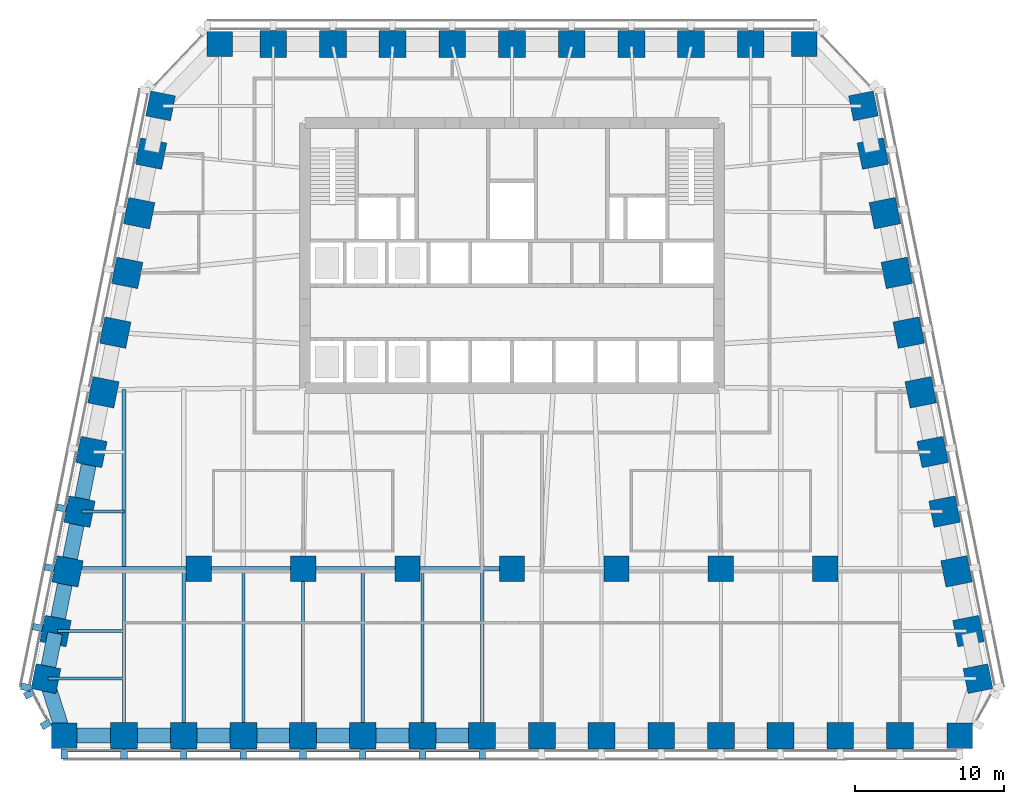
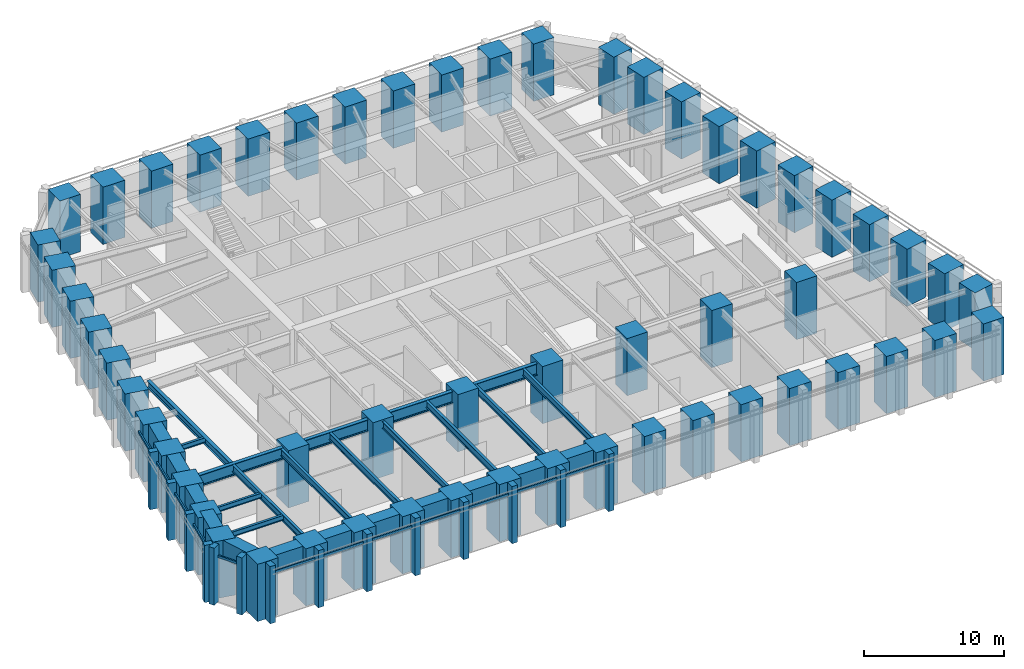
# One storey, part 1 of 11: 56 columns, 27 beams, 26 members, 3 elements without a shape of their own.
"""IFC4 building model written with IfcOpenShell, lengths in metres."""

from ifc_helpers import new_model, si_unit, direction, frame, origin, origin_2d, place, context, subcontext, project, spatial, rectangle, i_section, extrude, material, material_profile, profile_set, type_object, element, aggregate, save


model = new_model("IFC4")

# Units and contexts
model_context = context("Model", 3, precision=1e-05, world=origin(), true_north=direction((0.0, 1.0)))
body_context = subcontext(model_context, "Body", "Model", "MODEL_VIEW")
ifc_project = project(units=[si_unit("LENGTHUNIT", "METRE"), si_unit("AREAUNIT", "SQUARE_METRE"), si_unit("VOLUMEUNIT", "CUBIC_METRE"), si_unit("PLANEANGLEUNIT", "RADIAN"), si_unit("MASSUNIT", "GRAM", prefix="KILO")], contexts=[model_context])

# Site, building, storey
site_placement = place(None, origin())
site = spatial("IfcSite", under=ifc_project, at=site_placement, CompositionType="ELEMENT")
building_placement = place(site_placement, origin())
building = spatial("IfcBuilding", under=site, at=building_placement, Name="Isbrekke Arena Tower", CompositionType="ELEMENT")
storey_placement = place(building_placement, frame((0.0, 0.0, 98.0)))
storey = spatial("IfcBuildingStorey", under=building, at=storey_placement, Name="L21", CompositionType="ELEMENT", Elevation=98.0)

# Columns
ifc_material_1 = material(Name="Concrete B80 (C80/95)", Category="concrete")
ifc_material_profile_1 = material_profile(ifc_material_1, rectangle(XDim=1.699951171875, YDim=1.699951171875, at=origin_2d()), Name="RC 1700x1700")
ifc_profile_set_1 = profile_set([ifc_material_profile_1], Name="Concrete B80 (C80/95)")
column_type_1 = type_object("IfcColumnType", Name="C12 RC 1700 x 1700", PredefinedType="COLUMN", material=ifc_profile_set_1)
for number, where, z_axis, x_axis, name in (
    (1, (-21.0, -6.0, 0.0), (0.0, 0.0, 1.0), (1.0, 0.0, 0.0), "C12 I01"),
    (2, (-14.0, -6.0, 0.0), (0.0, 0.0, 1.0), (1.0, 0.0, 0.0), "C12 I02"),
    (3, (-7.0, -6.0, 0.0), (0.0, 0.0, 1.0), (1.0, 0.0, 0.0), "C12 I03"),
    (4, (0.0, -6.0, 0.0), (0.0, 0.0, 1.0), (1.0, 0.0, 0.0), "C12 I04"),
    (5, (7.0, -6.0, 0.0), (0.0, 0.0, 1.0), (1.0, 0.0, 0.0), "C12 I05"),
    (6, (14.0, -6.0, 0.0), (0.0, 0.0, 1.0), (1.0, 0.0, 0.0), "C12 I06"),
    (7, (21.0, -6.0, 0.0), (0.0, 0.0, 1.0), (1.0, 0.0, 0.0), "C12 I07"),
):
    element("IfcColumn", number, at=place(storey_placement, frame(where, z_axis=z_axis, x_axis=x_axis)), inside=storey, type_object=column_type_1, Name=name, PredefinedType="COLUMN", context=body_context, shape_type="SweptSolid", body=[
        extrude(rectangle(XDim=1.699951171875, YDim=1.699951171875, at=origin_2d()), origin(), (0.0, 0.0, 1.0), 5.0),
    ])
ifc_material_2 = material(Name="Concrete B80 (C80/95)", Category="concrete")
ifc_material_profile_2 = material_profile(ifc_material_2, rectangle(XDim=1.800048828125, YDim=1.800048828125, at=origin_2d()), Name="RC 1800x1800")
ifc_profile_set_2 = profile_set([ifc_material_profile_2], Name="Concrete B80 (C80/95)")
column_type_2 = type_object("IfcColumnType", Name="C3 RC 1800 x 1800", PredefinedType="COLUMN", material=ifc_profile_set_2)
for number, where, z_axis, x_axis, name in (
    (8, (-26.0, -17.175048828125, 0.0), (0.0, 0.0, 1.0), (1.0, 0.0, 0.0), "C3 S02"),
    (9, (-22.0, -17.175048828125, 0.0), (0.0, 0.0, 1.0), (1.0, 0.0, 0.0), "C3 S03"),
    (10, (-18.0, -17.175048828125, 0.0), (0.0, 0.0, 1.0), (1.0, 0.0, 0.0), "C3 S04"),
    (11, (-14.0, -17.175048828125, 0.0), (0.0, 0.0, 1.0), (1.0, 0.0, 0.0), "C3 S05"),
    (12, (-10.0, -17.175048828125, 0.0), (0.0, 0.0, 1.0), (1.0, 0.0, 0.0), "C3 S06"),
    (13, (-6.0, -17.175048828125, 0.0), (0.0, 0.0, 1.0), (1.0, 0.0, 0.0), "C3 S07"),
    (14, (-2.0, -17.175048828125, 0.0), (0.0, 0.0, 1.0), (1.0, 0.0, 0.0), "C3 S08"),
    (15, (2.0, -17.175048828125, 0.0), (0.0, 0.0, 1.0), (1.0, 0.0, 0.0), "C3 S09"),
    (16, (6.0, -17.175048828125, 0.0), (0.0, 0.0, 1.0), (1.0, 0.0, 0.0), "C3 S10"),
    (17, (10.0, -17.175048828125, 0.0), (0.0, 0.0, 1.0), (1.0, 0.0, 0.0), "C3 S11"),
    (18, (14.0, -17.175048828125, 0.0), (0.0, 0.0, 1.0), (1.0, 0.0, 0.0), "C3 S12"),
    (19, (18.0, -17.175048828125, 0.0), (0.0, 0.0, 1.0), (1.0, 0.0, 0.0), "C3 S13"),
    (20, (22.0, -17.175048828125, 0.0), (0.0, 0.0, 1.0), (1.0, 0.0, 0.0), "C3 S14"),
    (21, (26.0, -17.175048828125, 0.0), (0.0, 0.0, 1.0), (1.0, 0.0, 0.0), "C3 S15"),
    (22, (30.591064453125, -10.161865234375, 0.0), (0.0, 0.0, 1.0), (-0.196116135138, 0.980580675691, 0.0), "C3 E02"),
    (23, (29.791015625, -6.161865234375, 0.0), (0.0, 0.0, 1.0), (-0.196116135138, 0.980580675691, 0.0), "C3 E03"),
    (24, (28.990966796875, -2.161865234375, 0.0), (0.0, 0.0, 1.0), (-0.196116135138, 0.980580675691, 0.0), "C3 E04"),
    (25, (28.19091796875, 1.838134765625, 0.0), (0.0, 0.0, 1.0), (-0.196116135138, 0.980580675691, 0.0), "C3 E05"),
    (26, (27.39111328125, 5.838134765625, 0.0), (0.0, 0.0, 1.0), (-0.196116135138, 0.980580675691, 0.0), "C3 E06"),
    (27, (26.591064453125, 9.838134765625, 0.0), (0.0, 0.0, 1.0), (-0.196116135138, 0.980580675691, 0.0), "C3 E07"),
    (28, (25.791015625, 13.838134765625, 0.0), (0.0, 0.0, 1.0), (-0.196116135138, 0.980580675691, 0.0), "C3 E08"),
    (29, (24.990966796875, 17.838134765625, 0.0), (0.0, 0.0, 1.0), (-0.196116135138, 0.980580675691, 0.0), "C3 E09"),
    (30, (24.19091796875, 21.838134765625, 0.0), (0.0, 0.0, 1.0), (-0.196116135138, 0.980580675691, 0.0), "C3 E10"),
    (31, (16.0, 29.175048828125, 0.0), (0.0, 0.0, 1.0), (-1.0, 0.0, 0.0), "C3 N02"),
    (32, (12.0, 29.175048828125, 0.0), (0.0, 0.0, 1.0), (-1.0, 0.0, 0.0), "C3 N03"),
    (33, (8.0, 29.175048828125, 0.0), (0.0, 0.0, 1.0), (-1.0, 0.0, 0.0), "C3 N04"),
    (34, (4.0, 29.175048828125, 0.0), (0.0, 0.0, 1.0), (-1.0, 0.0, 0.0), "C3 N05"),
    (35, (0.0, 29.175048828125, 0.0), (0.0, 0.0, 1.0), (-1.0, 0.0, 0.0), "C3 N06"),
    (36, (-4.0, 29.175048828125, 0.0), (0.0, 0.0, 1.0), (-1.0, 0.0, 0.0), "C3 N07"),
    (37, (-8.0, 29.175048828125, 0.0), (0.0, 0.0, 1.0), (-1.0, 0.0, 0.0), "C3 N08"),
    (38, (-12.0, 29.175048828125, 0.0), (0.0, 0.0, 1.0), (-1.0, 0.0, 0.0), "C3 N09"),
    (39, (-16.0, 29.175048828125, 0.0), (0.0, 0.0, 1.0), (-1.0, 0.0, 0.0), "C3 N10"),
    (40, (-24.19091796875, 21.838134765625, 0.0), (0.0, 0.0, 1.0), (-0.196116135138, -0.980580675691, 0.0), "C3 W02"),
    (41, (-24.990966796875, 17.838134765625, 0.0), (0.0, 0.0, 1.0), (-0.196116135138, -0.980580675691, 0.0), "C3 W03"),
    (42, (-25.791015625, 13.838134765625, 0.0), (0.0, 0.0, 1.0), (-0.196116135138, -0.980580675691, 0.0), "C3 W04"),
    (43, (-26.591064453125, 9.838134765625, 0.0), (0.0, 0.0, 1.0), (-0.196116135138, -0.980580675691, 0.0), "C3 W05"),
    (44, (-27.39111328125, 5.838134765625, 0.0), (0.0, 0.0, 1.0), (-0.196116135138, -0.980580675691, 0.0), "C3 W06"),
    (45, (-28.19091796875, 1.838134765625, 0.0), (0.0, 0.0, 1.0), (-0.196116135138, -0.980580675691, 0.0), "C3 W07"),
    (46, (-28.990966796875, -2.161865234375, 0.0), (0.0, 0.0, 1.0), (-0.196116135138, -0.980580675691, 0.0), "C3 W08"),
    (47, (-29.791015625, -6.161865234375, 0.0), (0.0, 0.0, 1.0), (-0.196116135138, -0.980580675691, 0.0), "C3 W09"),
    (48, (-30.591064453125, -10.161865234375, 0.0), (0.0, 0.0, 1.0), (-0.196116135138, -0.980580675691, 0.0), "C3 W10"),
):
    element("IfcColumn", number, at=place(storey_placement, frame(where, z_axis=z_axis, x_axis=x_axis)), inside=storey, type_object=column_type_2, Name=name, PredefinedType="COLUMN", context=body_context, shape_type="SweptSolid", body=[
        extrude(rectangle(XDim=1.800048828125, YDim=1.800048828125, at=origin_2d()), origin(), (0.0, 0.0, 1.0), 5.0),
    ])
ifc_material_3 = material(Name="Concrete B80 (C80/95)", Category="concrete")
ifc_material_profile_3 = material_profile(ifc_material_3, rectangle(XDim=1.699951171875, YDim=1.699951171875, at=origin_2d()), Name="RC 1700x1700")
ifc_profile_set_3 = profile_set([ifc_material_profile_3], Name="Concrete B80 (C80/95)")
column_type_3 = type_object("IfcColumnType", Name="C7 RC 1700 x 1700", PredefinedType="COLUMN", material=ifc_profile_set_3)
for number, where, z_axis, x_axis, name in (
    (49, (-30.0, -17.175048828125, 0.0), (0.0, 0.0, 1.0), (1.0, 0.0, 0.0), "C7 S01"),
    (50, (30.0, -17.175048828125, 0.0), (0.0, 0.0, 1.0), (1.0, 0.0, 0.0), "C7 S16"),
    (51, (31.229248046875, -13.352783203125, 0.0), (0.0, 0.0, 1.0), (-0.196116135138, 0.980580675691, 0.0), "C7 E01"),
    (52, (23.552734375, 25.029296875, 0.0), (0.0, 0.0, 1.0), (-0.196116135138, 0.980580675691, 0.0), "C7 E11"),
    (53, (19.574951171875, 29.175048828125, 0.0), (0.0, 0.0, 1.0), (-1.0, 0.0, 0.0), "C7 N01"),
    (54, (-19.574951171875, 29.175048828125, 0.0), (0.0, 0.0, 1.0), (-1.0, 0.0, 0.0), "C7 N11"),
    (55, (-23.552734375, 25.029296875, 0.0), (0.0, 0.0, 1.0), (-0.196116135138, -0.980580675691, 0.0), "C7 W01"),
    (56, (-31.229248046875, -13.352783203125, 0.0), (0.0, 0.0, 1.0), (-0.196116135138, -0.980580675691, 0.0), "C7 W11"),
):
    element("IfcColumn", number, at=place(storey_placement, frame(where, z_axis=z_axis, x_axis=x_axis)), inside=storey, type_object=column_type_3, Name=name, PredefinedType="COLUMN", context=body_context, shape_type="SweptSolid", body=[
        extrude(rectangle(XDim=1.699951171875, YDim=1.699951171875, at=origin_2d()), origin(), (0.0, 0.0, 1.0), 5.0),
    ])

# Beams
ifc_material_4 = material(Name="Steel S355", Category="steel")
ifc_material_profile_4 = material_profile(ifc_material_4, i_section(OverallWidth=0.219970703125, OverallDepth=0.60009765625, WebThickness=0.011962890625, FlangeThickness=0.01904296875, FilletRadius=0.02392578125, at=origin_2d()), Name="IPE 600")
ifc_profile_set_4 = profile_set([ifc_material_profile_4], Name="Steel S355")
beam_type_1 = type_object("IfcBeamType", Name="B1 IPE 600", PredefinedType="BEAM", material=ifc_profile_set_4)
for number, where, z_axis, x_axis, name in (
    (57, (-26.0, -17.02490234375, 4.550048828125), (0.0, 1.0, 0.0), (-1.0, 0.0, 0.0), "B1 beam S-S02 L21"),
    (58, (-22.0, -17.02490234375, 4.550048828125), (0.0, 1.0, 0.0), (-1.0, 0.0, 0.0), "B1 beam S-S03 L21"),
    (59, (-18.0, -17.02490234375, 4.550048828125), (0.0, 1.0, 0.0), (-1.0, 0.0, 0.0), "B1 beam S-S04 L21"),
):
    element("IfcBeam", number, at=place(storey_placement, frame(where, z_axis=z_axis, x_axis=x_axis)), inside=storey, type_object=beam_type_1, Name=name, PredefinedType="BEAM", context=body_context, shape_type="SweptSolid", body=[
        extrude(i_section(OverallWidth=0.219970703125, OverallDepth=0.60009765625, WebThickness=0.011962890625, FlangeThickness=0.01904296875, FilletRadius=0.02392578125, at=origin_2d()), origin(), (0.0, 0.0, 1.0), 10.8740234375),
    ])
beam_1_placement = place(storey_placement, frame((-14.0, -17.02490234375, 4.550048828125), z_axis=(0.0, 1.0, 0.0), x_axis=(-1.0, 0.0, 0.0)))
element("IfcBeam", 60, at=beam_1_placement, inside=storey, type_object=beam_type_1, Name="B1 beam S-S05 L21", PredefinedType="BEAM", context=body_context, shape_type="SweptSolid", body=[
    extrude(i_section(OverallWidth=0.219970703125, OverallDepth=0.60009765625, WebThickness=0.011962890625, FlangeThickness=0.01904296875, FilletRadius=0.02392578125, at=origin_2d()), origin(), (0.0, 0.0, 1.0), 10.875),
])
for number, where, z_axis, x_axis, name in (
    (61, (-10.0, -17.02490234375, 4.550048828125), (0.0, 1.0, 0.0), (-1.0, 0.0, 0.0), "B1 beam S-S06 L21"),
    (62, (-6.0, -17.02490234375, 4.550048828125), (0.0, 1.0, 0.0), (-1.0, 0.0, 0.0), "B1 beam S-S07 L21"),
    (63, (-2.0, -17.02490234375, 4.550048828125), (0.0, 1.0, 0.0), (-1.0, 0.0, 0.0), "B1 beam S-S08 L21"),
):
    element("IfcBeam", number, at=place(storey_placement, frame(where, z_axis=z_axis, x_axis=x_axis)), inside=storey, type_object=beam_type_1, Name=name, PredefinedType="BEAM", context=body_context, shape_type="SweptSolid", body=[
        extrude(i_section(OverallWidth=0.219970703125, OverallDepth=0.60009765625, WebThickness=0.011962890625, FlangeThickness=0.01904296875, FilletRadius=0.02392578125, at=origin_2d()), origin(), (0.0, 0.0, 1.0), 10.8740234375),
    ])
ifc_material_5 = material(Name="Steel S355", Category="steel")
ifc_material_profile_5 = material_profile(ifc_material_5, i_section(OverallWidth=0.18994140625, OverallDepth=0.449951171875, WebThickness=0.009521484375, FlangeThickness=0.0146484375, FilletRadius=0.02099609375, at=origin_2d()), Name="IPE 450")
ifc_profile_set_5 = profile_set([ifc_material_profile_5], Name="Steel S355")
beam_type_2 = type_object("IfcBeamType", Name="B2 IPE 450", PredefinedType="BEAM", material=ifc_profile_set_5)
beam_2_placement = place(storey_placement, frame((-28.841064453125, -2.161865234375, 4.625), z_axis=(1.0, 0.0, 0.0), x_axis=(0.0, 1.0, 0.0)))
element("IfcBeam", 64, at=beam_2_placement, inside=storey, type_object=beam_type_2, Name="B2 beam E-W08 L21", PredefinedType="BEAM", context=body_context, shape_type="SweptSolid", body=[
    extrude(i_section(OverallWidth=0.18994140625, OverallDepth=0.449951171875, WebThickness=0.009521484375, FlangeThickness=0.0146484375, FilletRadius=0.02099609375, at=origin_2d()), origin(), (0.0, 0.0, 1.0), 2.841064453125),
])
beam_3_placement = place(storey_placement, frame((-30.44091796875, -10.161865234375, 4.625), z_axis=(1.0, 0.0, 0.0), x_axis=(0.0, 1.0, 0.0)))
element("IfcBeam", 65, at=beam_3_placement, inside=storey, type_object=beam_type_2, Name="B2 beam E-W10 L21", PredefinedType="BEAM", context=body_context, shape_type="SweptSolid", body=[
    extrude(i_section(OverallWidth=0.18994140625, OverallDepth=0.449951171875, WebThickness=0.009521484375, FlangeThickness=0.0146484375, FilletRadius=0.02099609375, at=origin_2d()), origin(), (0.0, 0.0, 1.0), 4.44091796875),
])
beam_4_placement = place(storey_placement, frame((-31.079345703125, -13.352783203125, 4.625), z_axis=(1.0, 0.0, 0.0), x_axis=(0.0, 1.0, 0.0)))
element("IfcBeam", 66, at=beam_4_placement, inside=storey, type_object=beam_type_2, Name="B2 beam E-W11 L21", PredefinedType="BEAM", context=body_context, shape_type="SweptSolid", body=[
    extrude(i_section(OverallWidth=0.18994140625, OverallDepth=0.449951171875, WebThickness=0.009521484375, FlangeThickness=0.0146484375, FilletRadius=0.02099609375, at=origin_2d()), origin(), (0.0, 0.0, 1.0), 5.079345703125),
])
ifc_material_6 = material(Name="Steel S355", Category="steel")
ifc_material_profile_6 = material_profile(ifc_material_6, i_section(OverallWidth=0.300048828125, OverallDepth=0.60009765625, WebThickness=0.015380859375, FlangeThickness=0.030029296875, FilletRadius=0.027099609375, at=origin_2d()), Name="HEB 600")
ifc_profile_set_6 = profile_set([ifc_material_profile_6], Name="Steel S355")
beam_type_3 = type_object("IfcBeamType", Name="B7 HEB 600", PredefinedType="BEAM", material=ifc_profile_set_6)
beam_5_placement = place(storey_placement, frame((-26.0, -5.84912109375, 4.550048828125), z_axis=(0.0, 1.0, 0.0), x_axis=(-1.0, 0.0, 0.0)))
element("IfcBeam", 67, at=beam_5_placement, inside=storey, type_object=beam_type_3, Name="B7 beam C-M01 L21", PredefinedType="BEAM", context=body_context, shape_type="SweptSolid", body=[
    extrude(i_section(OverallWidth=0.300048828125, OverallDepth=0.60009765625, WebThickness=0.015380859375, FlangeThickness=0.030029296875, FilletRadius=0.027099609375, at=origin_2d()), origin(), (0.0, 0.0, 1.0), 11.864990234375),
])

# Curtain wall, members
ifc_material_7 = material(Name="Glazed aluminium curtain wall", Category="aluminium")
curtain_wall_type = type_object("IfcCurtainWallType", Name="CWS SKY LOBBY CURTAIN WALL", PredefinedType="USERDEFINED", material=ifc_material_7)
curtain_wall_1_placement = place(storey_placement, origin())
curtain_wall_1 = element("IfcCurtainWall", 68, at=curtain_wall_1_placement, inside=storey, type_object=curtain_wall_type, Name="CWS curtain wall L21-S", ObjectType="SKY LOBBY CURTAIN WALL", PredefinedType="USERDEFINED")
ifc_material_8 = material(Name="Aluminium mullion, pale brick slip cladding", Category="masonry")
ifc_material_profile_7 = material_profile(ifc_material_8, rectangle(XDim=0.449951171875, YDim=0.64990234375, at=origin_2d()), Name="PIER 450X650")
ifc_profile_set_7 = profile_set([ifc_material_profile_7], Name="Aluminium mullion, pale brick slip cladding")
member_type_1 = type_object("IfcMemberType", Name="CWS-M PIER MULLION 450 x 650", PredefinedType="MULLION", material=ifc_profile_set_7)
member_1_placement = place(storey_placement, frame((-30.0, -18.39990234375, 0.0), z_axis=(0.0, 0.0, 1.0), x_axis=(1.0, 0.0, 0.0)))
member_1 = element("IfcMember", 69, at=member_1_placement, type_object=member_type_1, Name="CWS-M mullion 1", PredefinedType="MULLION", context=body_context, shape_type="SweptSolid", body=[
    extrude(rectangle(XDim=0.449951171875, YDim=0.64990234375, at=origin_2d()), origin(), (0.0, 0.0, 1.0), 5.0),
])
member_2_placement = place(storey_placement, frame((-26.0, -18.39990234375, 0.0), z_axis=(0.0, 0.0, 1.0), x_axis=(1.0, 0.0, 0.0)))
member_2 = element("IfcMember", 70, at=member_2_placement, type_object=member_type_1, Name="CWS-M mullion 2", PredefinedType="MULLION", context=body_context, shape_type="SweptSolid", body=[
    extrude(rectangle(XDim=0.449951171875, YDim=0.64990234375, at=origin_2d()), origin(), (0.0, 0.0, 1.0), 5.0),
])
member_3_placement = place(storey_placement, frame((-22.0, -18.39990234375, 0.0), z_axis=(0.0, 0.0, 1.0), x_axis=(1.0, 0.0, 0.0)))
member_3 = element("IfcMember", 71, at=member_3_placement, type_object=member_type_1, Name="CWS-M mullion 3", PredefinedType="MULLION", context=body_context, shape_type="SweptSolid", body=[
    extrude(rectangle(XDim=0.449951171875, YDim=0.64990234375, at=origin_2d()), origin(), (0.0, 0.0, 1.0), 5.0),
])
member_4_placement = place(storey_placement, frame((-18.0, -18.39990234375, 0.0), z_axis=(0.0, 0.0, 1.0), x_axis=(1.0, 0.0, 0.0)))
member_4 = element("IfcMember", 72, at=member_4_placement, type_object=member_type_1, Name="CWS-M mullion 4", PredefinedType="MULLION", context=body_context, shape_type="SweptSolid", body=[
    extrude(rectangle(XDim=0.449951171875, YDim=0.64990234375, at=origin_2d()), origin(), (0.0, 0.0, 1.0), 5.0),
])
member_5_placement = place(storey_placement, frame((-14.0, -18.39990234375, 0.0), z_axis=(0.0, 0.0, 1.0), x_axis=(1.0, 0.0, 0.0)))
member_5 = element("IfcMember", 73, at=member_5_placement, type_object=member_type_1, Name="CWS-M mullion 5", PredefinedType="MULLION", context=body_context, shape_type="SweptSolid", body=[
    extrude(rectangle(XDim=0.449951171875, YDim=0.64990234375, at=origin_2d()), origin(), (0.0, 0.0, 1.0), 5.0),
])
member_6_placement = place(storey_placement, frame((-10.0, -18.39990234375, 0.0), z_axis=(0.0, 0.0, 1.0), x_axis=(1.0, 0.0, 0.0)))
member_6 = element("IfcMember", 74, at=member_6_placement, type_object=member_type_1, Name="CWS-M mullion 6", PredefinedType="MULLION", context=body_context, shape_type="SweptSolid", body=[
    extrude(rectangle(XDim=0.449951171875, YDim=0.64990234375, at=origin_2d()), origin(), (0.0, 0.0, 1.0), 5.0),
])
member_7_placement = place(storey_placement, frame((-6.0, -18.39990234375, 0.0), z_axis=(0.0, 0.0, 1.0), x_axis=(1.0, 0.0, 0.0)))
member_7 = element("IfcMember", 75, at=member_7_placement, type_object=member_type_1, Name="CWS-M mullion 7", PredefinedType="MULLION", context=body_context, shape_type="SweptSolid", body=[
    extrude(rectangle(XDim=0.449951171875, YDim=0.64990234375, at=origin_2d()), origin(), (0.0, 0.0, 1.0), 5.0),
])
member_8_placement = place(storey_placement, frame((-2.0, -18.39990234375, 0.0), z_axis=(0.0, 0.0, 1.0), x_axis=(1.0, 0.0, 0.0)))
member_8 = element("IfcMember", 76, at=member_8_placement, type_object=member_type_1, Name="CWS-M mullion 8", PredefinedType="MULLION", context=body_context, shape_type="SweptSolid", body=[
    extrude(rectangle(XDim=0.449951171875, YDim=0.64990234375, at=origin_2d()), origin(), (0.0, 0.0, 1.0), 5.0),
])

curtain_wall_2_placement = place(storey_placement, origin())
curtain_wall_2 = element("IfcCurtainWall", 77, at=curtain_wall_2_placement, inside=storey, type_object=curtain_wall_type, Name="CWS curtain wall L21-W", ObjectType="SKY LOBBY CURTAIN WALL", PredefinedType="USERDEFINED")
member_9_placement = place(storey_placement, frame((-30.192138671875, -1.921630859375, 0.0), z_axis=(0.0, 0.0, 1.0), x_axis=(-0.196116135138, -0.980580675691, 0.0)))
member_9 = element("IfcMember", 78, at=member_9_placement, type_object=member_type_1, Name="CWS-M mullion 8", PredefinedType="MULLION", context=body_context, shape_type="SweptSolid", body=[
    extrude(rectangle(XDim=0.449951171875, YDim=0.64990234375, at=origin_2d()), origin(), (0.0, 0.0, 1.0), 5.0),
])
member_10_placement = place(storey_placement, frame((-30.9921875, -5.921630859375, 0.0), z_axis=(0.0, 0.0, 1.0), x_axis=(-0.196116135138, -0.980580675691, 0.0)))
member_10 = element("IfcMember", 79, at=member_10_placement, type_object=member_type_1, Name="CWS-M mullion 9", PredefinedType="MULLION", context=body_context, shape_type="SweptSolid", body=[
    extrude(rectangle(XDim=0.449951171875, YDim=0.64990234375, at=origin_2d()), origin(), (0.0, 0.0, 1.0), 5.0),
])
member_11_placement = place(storey_placement, frame((-31.792236328125, -9.921630859375, 0.0), z_axis=(0.0, 0.0, 1.0), x_axis=(-0.196116135138, -0.980580675691, 0.0)))
member_11 = element("IfcMember", 80, at=member_11_placement, type_object=member_type_1, Name="CWS-M mullion 10", PredefinedType="MULLION", context=body_context, shape_type="SweptSolid", body=[
    extrude(rectangle(XDim=0.449951171875, YDim=0.64990234375, at=origin_2d()), origin(), (0.0, 0.0, 1.0), 5.0),
])
member_12_placement = place(storey_placement, frame((-32.59228515625, -13.921630859375, 0.0), z_axis=(0.0, 0.0, 1.0), x_axis=(-0.196116135138, -0.980580675691, 0.0)))
member_12 = element("IfcMember", 81, at=member_12_placement, type_object=member_type_1, Name="CWS-M mullion 11", PredefinedType="MULLION", context=body_context, shape_type="SweptSolid", body=[
    extrude(rectangle(XDim=0.449951171875, YDim=0.64990234375, at=origin_2d()), origin(), (0.0, 0.0, 1.0), 5.0),
])

curtain_wall_3_placement = place(storey_placement, origin())
curtain_wall_3 = element("IfcCurtainWall", 82, at=curtain_wall_3_placement, inside=storey, type_object=curtain_wall_type, Name="CWS curtain wall L21-WS", ObjectType="SKY LOBBY CURTAIN WALL", PredefinedType="USERDEFINED")
member_13_placement = place(storey_placement, frame((-32.362060546875, -14.379638671875, 0.0), z_axis=(0.0, 0.0, 1.0), x_axis=(0.481918749773, -0.876215908676, 0.0)))
member_13 = element("IfcMember", 83, at=member_13_placement, type_object=member_type_1, Name="CWS-M mullion 1", PredefinedType="MULLION", context=body_context, shape_type="SweptSolid", body=[
    extrude(rectangle(XDim=0.449951171875, YDim=0.64990234375, at=origin_2d()), origin(), (0.0, 0.0, 1.0), 5.0),
])
member_14_placement = place(storey_placement, frame((-31.240234375, -16.41943359375, 0.0), z_axis=(0.0, 0.0, 1.0), x_axis=(0.481918749773, -0.876215908676, 0.0)))
member_14 = element("IfcMember", 84, at=member_14_placement, type_object=member_type_1, Name="CWS-M mullion 2", PredefinedType="MULLION", context=body_context, shape_type="SweptSolid", body=[
    extrude(rectangle(XDim=0.449951171875, YDim=0.64990234375, at=origin_2d()), origin(), (0.0, 0.0, 1.0), 5.0),
])

# Member
ifc_material_9 = material(Name="Aluminium transom", Category="aluminium")
ifc_material_profile_8 = material_profile(ifc_material_9, rectangle(XDim=0.1201171875, YDim=0.199951171875, at=origin_2d()), Name="TRANSOM 120X200")
ifc_profile_set_8 = profile_set([ifc_material_profile_8], Name="Aluminium transom")
member_type_2 = type_object("IfcMemberType", Name="CWS-T TRANSOM 120 x 200", PredefinedType="USERDEFINED", material=ifc_profile_set_8)
member_15_placement = place(storey_placement, frame((-29.77490234375, -18.175048828125, 4.0), z_axis=(1.0, 0.0, 0.0), x_axis=(0.0, 1.0, 0.0)))
member_15 = element("IfcMember", 85, at=member_15_placement, type_object=member_type_2, Name="CWS-T transom 1", ObjectType="TRANSOM", PredefinedType="USERDEFINED", context=body_context, shape_type="SweptSolid", body=[
    extrude(rectangle(XDim=0.1201171875, YDim=0.199951171875, at=origin_2d()), origin(), (0.0, 0.0, 1.0), 3.5498046875),
])

member_16_placement = place(storey_placement, frame((-25.77490234375, -18.175048828125, 4.0), z_axis=(1.0, 0.0, 0.0), x_axis=(0.0, 1.0, 0.0)))
member_16 = element("IfcMember", 86, at=member_16_placement, type_object=member_type_2, Name="CWS-T transom 2", ObjectType="TRANSOM", PredefinedType="USERDEFINED", context=body_context, shape_type="SweptSolid", body=[
    extrude(rectangle(XDim=0.1201171875, YDim=0.199951171875, at=origin_2d()), origin(), (0.0, 0.0, 1.0), 3.5498046875),
])

member_17_placement = place(storey_placement, frame((-21.77490234375, -18.175048828125, 4.0), z_axis=(1.0, 0.0, 0.0), x_axis=(0.0, 1.0, 0.0)))
member_17 = element("IfcMember", 87, at=member_17_placement, type_object=member_type_2, Name="CWS-T transom 3", ObjectType="TRANSOM", PredefinedType="USERDEFINED", context=body_context, shape_type="SweptSolid", body=[
    extrude(rectangle(XDim=0.1201171875, YDim=0.199951171875, at=origin_2d()), origin(), (0.0, 0.0, 1.0), 3.5498046875),
])

member_18_placement = place(storey_placement, frame((-17.77490234375, -18.175048828125, 4.0), z_axis=(1.0, 0.0, 0.0), x_axis=(0.0, 1.0, 0.0)))
member_18 = element("IfcMember", 88, at=member_18_placement, type_object=member_type_2, Name="CWS-T transom 4", ObjectType="TRANSOM", PredefinedType="USERDEFINED", context=body_context, shape_type="SweptSolid", body=[
    extrude(rectangle(XDim=0.1201171875, YDim=0.199951171875, at=origin_2d()), origin(), (0.0, 0.0, 1.0), 3.5498046875),
])

member_19_placement = place(storey_placement, frame((-13.77490234375, -18.175048828125, 4.0), z_axis=(1.0, 0.0, 0.0), x_axis=(0.0, 1.0, 0.0)))
member_19 = element("IfcMember", 89, at=member_19_placement, type_object=member_type_2, Name="CWS-T transom 5", ObjectType="TRANSOM", PredefinedType="USERDEFINED", context=body_context, shape_type="SweptSolid", body=[
    extrude(rectangle(XDim=0.1201171875, YDim=0.199951171875, at=origin_2d()), origin(), (0.0, 0.0, 1.0), 3.5498046875),
])

member_20_placement = place(storey_placement, frame((-9.77490234375, -18.175048828125, 4.0), z_axis=(1.0, 0.0, 0.0), x_axis=(0.0, 1.0, 0.0)))
member_20 = element("IfcMember", 90, at=member_20_placement, type_object=member_type_2, Name="CWS-T transom 6", ObjectType="TRANSOM", PredefinedType="USERDEFINED", context=body_context, shape_type="SweptSolid", body=[
    extrude(rectangle(XDim=0.1201171875, YDim=0.199951171875, at=origin_2d()), origin(), (0.0, 0.0, 1.0), 3.5498046875),
])

member_21_placement = place(storey_placement, frame((-5.77490234375, -18.175048828125, 4.0), z_axis=(1.0, 0.0, 0.0), x_axis=(0.0, 1.0, 0.0)))
member_21 = element("IfcMember", 91, at=member_21_placement, type_object=member_type_2, Name="CWS-T transom 7", ObjectType="TRANSOM", PredefinedType="USERDEFINED", context=body_context, shape_type="SweptSolid", body=[
    extrude(rectangle(XDim=0.1201171875, YDim=0.199951171875, at=origin_2d()), origin(), (0.0, 0.0, 1.0), 3.5498046875),
])

aggregate(curtain_wall_1, [member_1, member_2, member_3, member_4, member_5, member_6, member_7, member_8, member_15, member_16, member_17, member_18, member_19, member_20, member_21])

member_22_placement = place(storey_placement, frame((-29.2158203125, 1.813720703125, 4.0), z_axis=(-0.196090262229, -0.980585849918, 0.0), x_axis=(0.980585849918, -0.196090262229, 0.0)))
member_22 = element("IfcMember", 92, at=member_22_placement, type_object=member_type_2, Name="CWS-T transom 7", ObjectType="TRANSOM", PredefinedType="USERDEFINED", context=body_context, shape_type="SweptSolid", body=[
    extrude(rectangle(XDim=0.1201171875, YDim=0.199951171875, at=origin_2d()), origin(), (0.0, 0.0, 1.0), 3.62939453125),
])

member_23_placement = place(storey_placement, frame((-30.015625, -2.186279296875, 4.0), z_axis=(-0.196154943734, -0.980572913173, 0.0), x_axis=(0.980572913173, -0.196154943734, 0.0)))
member_23 = element("IfcMember", 93, at=member_23_placement, type_object=member_type_2, Name="CWS-T transom 8", ObjectType="TRANSOM", PredefinedType="USERDEFINED", context=body_context, shape_type="SweptSolid", body=[
    extrude(rectangle(XDim=0.1201171875, YDim=0.199951171875, at=origin_2d()), origin(), (0.0, 0.0, 1.0), 3.62939453125),
])

member_24_placement = place(storey_placement, frame((-30.815673828125, -6.186279296875, 4.0), z_axis=(-0.196154943734, -0.980572913173, 0.0), x_axis=(0.980572913173, -0.196154943734, 0.0)))
member_24 = element("IfcMember", 94, at=member_24_placement, type_object=member_type_2, Name="CWS-T transom 9", ObjectType="TRANSOM", PredefinedType="USERDEFINED", context=body_context, shape_type="SweptSolid", body=[
    extrude(rectangle(XDim=0.1201171875, YDim=0.199951171875, at=origin_2d()), origin(), (0.0, 0.0, 1.0), 3.62939453125),
])

member_25_placement = place(storey_placement, frame((-31.61572265625, -10.186279296875, 4.0), z_axis=(-0.196090262229, -0.980585849918, 0.0), x_axis=(0.980585849918, -0.196090262229, 0.0)))
member_25 = element("IfcMember", 95, at=member_25_placement, type_object=member_type_2, Name="CWS-T transom 10", ObjectType="TRANSOM", PredefinedType="USERDEFINED", context=body_context, shape_type="SweptSolid", body=[
    extrude(rectangle(XDim=0.1201171875, YDim=0.199951171875, at=origin_2d()), origin(), (0.0, 0.0, 1.0), 3.62939453125),
])

aggregate(curtain_wall_2, [member_9, member_10, member_11, member_12, member_22, member_23, member_24, member_25])

member_26_placement = place(storey_placement, frame((-32.056640625, -14.46826171875, 4.0), z_axis=(0.481918749772, -0.876215908677, 0.0), x_axis=(0.876215908677, 0.481918749772, 0.0)))
member_26 = element("IfcMember", 96, at=member_26_placement, type_object=member_type_2, Name="CWS-T transom 1", ObjectType="TRANSOM", PredefinedType="USERDEFINED", context=body_context, shape_type="SweptSolid", body=[
    extrude(rectangle(XDim=0.1201171875, YDim=0.199951171875, at=origin_2d()), origin(), (0.0, 0.0, 1.0), 1.8779296875),
])

aggregate(curtain_wall_3, [member_13, member_14, member_26])

# Beams
ifc_material_10 = material(Name="Steel S355", Category="steel")
ifc_material_profile_9 = material_profile(ifc_material_10, i_section(OverallWidth=0.302001953125, OverallDepth=1.008056640625, WebThickness=0.02099609375, FlangeThickness=0.0400390625, FilletRadius=0.030029296875, at=origin_2d()), Name="HEM 1000")
ifc_profile_set_9 = profile_set([ifc_material_profile_9], Name="Steel S355")
beam_type_4 = type_object("IfcBeamType", Name="G1 HEM 1000", PredefinedType="BEAM", material=ifc_profile_set_9)
beam_6_placement = place(storey_placement, frame((-29.791015625, -6.0, 4.345947265625), z_axis=(1.0, 0.0, 0.0), x_axis=(0.0, 1.0, 0.0)))
element("IfcBeam", 97, at=beam_6_placement, inside=storey, type_object=beam_type_4, Name="G1 beam G1-01 L21", PredefinedType="BEAM", context=body_context, shape_type="SweptSolid", body=[
    extrude(i_section(OverallWidth=0.302001953125, OverallDepth=1.008056640625, WebThickness=0.02099609375, FlangeThickness=0.0400390625, FilletRadius=0.030029296875, at=origin_2d()), origin(), (0.0, 0.0, 1.0), 8.64111328125),
])
for number, where, z_axis, x_axis, name in (
    (98, (-20.85009765625, -6.0, 4.345947265625), (1.0, 0.0, 0.0), (0.0, 1.0, 0.0), "G1 beam G1-02 L21"),
    (99, (-13.85009765625, -6.0, 4.345947265625), (1.0, 0.0, 0.0), (0.0, 1.0, 0.0), "G1 beam G1-03 L21"),
    (100, (-6.85009765625, -6.0, 4.345947265625), (1.0, 0.0, 0.0), (0.0, 1.0, 0.0), "G1 beam G1-04 L21"),
):
    element("IfcBeam", number, at=place(storey_placement, frame(where, z_axis=z_axis, x_axis=x_axis)), inside=storey, type_object=beam_type_4, Name=name, PredefinedType="BEAM", context=body_context, shape_type="SweptSolid", body=[
        extrude(i_section(OverallWidth=0.302001953125, OverallDepth=1.008056640625, WebThickness=0.02099609375, FlangeThickness=0.0400390625, FilletRadius=0.030029296875, at=origin_2d()), origin(), (0.0, 0.0, 1.0), 6.7001953125),
    ])
ifc_material_11 = material(Name="Concrete B80 (C80/95)", Category="concrete")
ifc_material_profile_10 = material_profile(ifc_material_11, rectangle(XDim=1.0, YDim=1.60009765625, at=origin_2d()), Name="RC 1000x1600")
ifc_profile_set_10 = profile_set([ifc_material_profile_10], Name="Concrete B80 (C80/95)")
beam_type_5 = type_object("IfcBeamType", Name="SB2 RC 1000 x 1600", PredefinedType="SPANDREL", material=ifc_profile_set_10)
for number, where, z_axis, x_axis, name in (
    (101, (-29.85009765625, -17.175048828125, 4.199951171875), (1.0, 0.0, 0.0), (0.0, 1.0, 0.0), "SB2 spandrel S01-S02 L21"),
    (102, (-25.85009765625, -17.175048828125, 4.199951171875), (1.0, 0.0, 0.0), (0.0, 1.0, 0.0), "SB2 spandrel S02-S03 L21"),
    (103, (-21.85009765625, -17.175048828125, 4.199951171875), (1.0, 0.0, 0.0), (0.0, 1.0, 0.0), "SB2 spandrel S03-S04 L21"),
    (104, (-17.85009765625, -17.175048828125, 4.199951171875), (1.0, 0.0, 0.0), (0.0, 1.0, 0.0), "SB2 spandrel S04-S05 L21"),
    (105, (-13.85009765625, -17.175048828125, 4.199951171875), (1.0, 0.0, 0.0), (0.0, 1.0, 0.0), "SB2 spandrel S05-S06 L21"),
    (106, (-9.85009765625, -17.175048828125, 4.199951171875), (1.0, 0.0, 0.0), (0.0, 1.0, 0.0), "SB2 spandrel S06-S07 L21"),
    (107, (-5.85009765625, -17.175048828125, 4.199951171875), (1.0, 0.0, 0.0), (0.0, 1.0, 0.0), "SB2 spandrel S07-S08 L21"),
):
    element("IfcBeam", number, at=place(storey_placement, frame(where, z_axis=z_axis, x_axis=x_axis)), inside=storey, type_object=beam_type_5, Name=name, PredefinedType="SPANDREL", context=body_context, shape_type="SweptSolid", body=[
        extrude(rectangle(XDim=1.0, YDim=1.60009765625, at=origin_2d()), origin(), (0.0, 0.0, 1.0), 3.7001953125),
    ])
for number, where, z_axis, x_axis, name in (
    (108, (-28.220458984375, 1.691162109375, 4.199951171875), (-0.196128558387, -0.980578190959, 0.0), (0.980578190959, -0.196128558387, 0.0), "SB2 spandrel W07-W08 L21"),
    (109, (-29.0205078125, -2.308837890625, 4.199951171875), (-0.196128558387, -0.980578190959, 0.0), (0.980578190959, -0.196128558387, 0.0), "SB2 spandrel W08-W09 L21"),
):
    element("IfcBeam", number, at=place(storey_placement, frame(where, z_axis=z_axis, x_axis=x_axis)), inside=storey, type_object=beam_type_5, Name=name, PredefinedType="SPANDREL", context=body_context, shape_type="SweptSolid", body=[
        extrude(rectangle(XDim=1.0, YDim=1.60009765625, at=origin_2d()), origin(), (0.0, 0.0, 1.0), 3.779296875),
    ])
beam_7_placement = place(storey_placement, frame((-29.820556640625, -6.308837890625, 4.199951171875), z_axis=(-0.1960664412, -0.980590613169, 0.0), x_axis=(0.980590613169, -0.1960664412, 0.0)))
element("IfcBeam", 110, at=beam_7_placement, inside=storey, type_object=beam_type_5, Name="SB2 spandrel W09-W10 L21", PredefinedType="SPANDREL", context=body_context, shape_type="SweptSolid", body=[
    extrude(rectangle(XDim=1.0, YDim=1.60009765625, at=origin_2d()), origin(), (0.0, 0.0, 1.0), 3.779052734375),
])
beam_8_placement = place(storey_placement, frame((-30.620361328125, -10.308837890625, 4.199951171875), z_axis=(-0.196100243168, -0.980583853951, 0.0), x_axis=(0.980583853951, -0.196100243168, 0.0)))
element("IfcBeam", 111, at=beam_8_placement, inside=storey, type_object=beam_type_5, Name="SB2 spandrel W10-W11 L21", PredefinedType="SPANDREL", context=body_context, shape_type="SweptSolid", body=[
    extrude(rectangle(XDim=1.0, YDim=1.60009765625, at=origin_2d()), origin(), (0.0, 0.0, 1.0), 2.954345703125),
])
beam_9_placement = place(storey_placement, frame((-31.183349609375, -13.49560546875, 4.199951171875), z_axis=(0.306175101476, -0.951975213562, 0.0), x_axis=(0.951975213562, 0.306175101476, 0.0)))
element("IfcBeam", 112, at=beam_9_placement, inside=storey, type_object=beam_type_5, Name="SB2 spandrel W11-S01 L21", PredefinedType="SPANDREL", context=body_context, shape_type="SweptSolid", body=[
    extrude(rectangle(XDim=1.0, YDim=1.60009765625, at=origin_2d()), origin(), (0.0, 0.0, 1.0), 3.715087890625),
])

save(model, "model.ifc")
